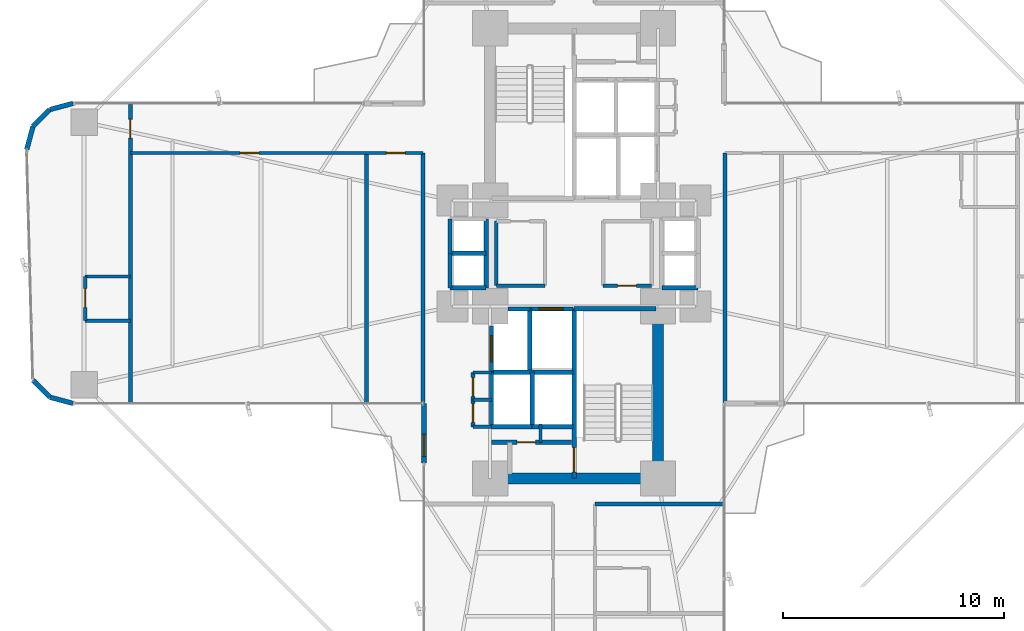
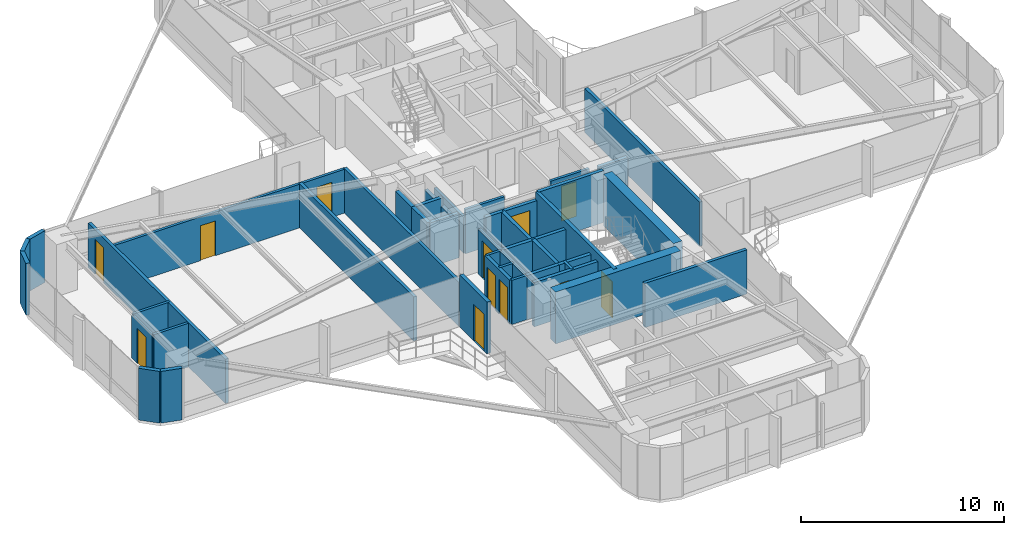
# One storey, part 22 of 26: 43 walls, 12 doors, 12 openings.
"""IFC4 building model written with IfcOpenShell, lengths in metres."""

from ifc_helpers import new_model, si_unit, direction, frame, frame_2d, origin, origin_2d, place, context, subcontext, project, spatial, rectangle, extrude, source, transform, mapped, material, layer, layer_set, type_object, element, fill, save


model = new_model("IFC4")

# Units and contexts
model_context = context("Model", 3, precision=1e-05, world=origin(), true_north=direction((0.0, 1.0)))
body_context = subcontext(model_context, "Body", "Model", "MODEL_VIEW")
ifc_project = project(units=[si_unit("LENGTHUNIT", "METRE"), si_unit("AREAUNIT", "SQUARE_METRE"), si_unit("VOLUMEUNIT", "CUBIC_METRE"), si_unit("PLANEANGLEUNIT", "RADIAN"), si_unit("MASSUNIT", "GRAM", prefix="KILO")], contexts=[model_context])

# Site, building, storey
site_placement = place(None, origin())
site = spatial("IfcSite", under=ifc_project, at=site_placement, CompositionType="ELEMENT")
building_placement = place(site_placement, origin())
building = spatial("IfcBuilding", under=site, at=building_placement, Name="Sahyath Konkavel Grand Hotel", CompositionType="ELEMENT")
storey_placement = place(building_placement, frame((0.0, 0.0, 61.10009765625)))
storey = spatial("IfcBuildingStorey", under=building, at=storey_placement, Name="L16", CompositionType="ELEMENT", Elevation=61.10009765625)

# Walls
ifc_material_1 = material(Name="Concrete C70/85", Category="concrete")
ifc_layer_1 = layer(ifc_material_1, 0.5)
ifc_layer_set_1 = layer_set([ifc_layer_1], Name="Concrete C70/85")
wall_type_1 = type_object("IfcWallType", Name="CWALL-500", PredefinedType="SHEAR", material=ifc_layer_set_1)
wall_1_placement = place(storey_placement, frame((-3.550048828125, -10.199951171875, 0.0), z_axis=(0.0, 0.0, 1.0), x_axis=(1.0, 0.0, 0.0)))
element("IfcWall", 1, at=wall_1_placement, inside=storey, type_object=wall_type_1, Name="L16 South Core Shear Wall S", PredefinedType="SHEAR", context=body_context, shape_type="SweptSolid", body=[
    extrude(rectangle(XDim=7.10009765625, YDim=0.5, at=frame_2d((3.550048828125, 0.0))), origin(), (0.0, 0.0, 1.0), 3.10986328125),
])
wall_2_placement = place(storey_placement, frame((3.800048828125, -9.75, 0.0), z_axis=(0.0, 0.0, 1.0), x_axis=(0.0, 1.0, 0.0)))
element("IfcWall", 2, at=wall_2_placement, inside=storey, type_object=wall_type_1, Name="L16 South Core Shear Wall E", PredefinedType="SHEAR", context=body_context, shape_type="SweptSolid", body=[
    extrude(rectangle(XDim=6.89990234375, YDim=0.5, at=frame_2d((3.449951171875, 0.0))), origin(), (0.0, 0.0, 1.0), 3.10986328125),
])
ifc_material_2 = material(Name="Warm Buff Sandstone Insulated Concrete C40/50", Category="masonry")
ifc_layer_2 = layer(ifc_material_2, 0.219970703125)
ifc_layer_set_2 = layer_set([ifc_layer_2], Name="Warm Buff Sandstone Insulated Concrete C40/50")
wall_type_2 = type_object("IfcWallType", Name="WLL-BALC-THRESH", PredefinedType="STANDARD", material=ifc_layer_set_2)
for number, where, z_axis, x_axis, name in (
    (3, (-22.699951171875, 6.800048828125, 0.0), (0.0, 0.0, 1.0), (-0.965951058412, -0.25872485917, 0.0), "L16 Rounded Corner Sandstone Pier 17"),
    (4, (-23.75, 6.518798828125, 0.0), (0.0, 0.0, 1.0), (-0.707106781187, -0.707106781187, 0.0), "L16 Rounded Corner Sandstone Pier 18"),
    (5, (-24.518798828125, 5.75, 0.0), (0.0, 0.0, 1.0), (-0.25872485917, -0.965951058412, 0.0), "L16 Rounded Corner Sandstone Pier 19"),
    (6, (-24.518798828125, -5.75, 0.0), (0.0, 0.0, 1.0), (0.707106781187, -0.707106781187, 0.0), "L16 Rounded Corner Sandstone Pier 21"),
    (7, (-23.75, -6.518798828125, 0.0), (0.0, 0.0, 1.0), (0.965951058412, -0.25872485917, 0.0), "L16 Rounded Corner Sandstone Pier 22"),
):
    element("IfcWall", number, at=place(storey_placement, frame(where, z_axis=z_axis, x_axis=x_axis)), inside=storey, type_object=wall_type_2, Name=name, PredefinedType="STANDARD", context=body_context, shape_type="SweptSolid", body=[
        extrude(rectangle(XDim=1.087158203125, YDim=0.219970703125, at=frame_2d((0.54345703125, 0.0))), origin(), (0.0, 0.0, 1.0), 3.10986328125),
    ])

# Wall, opening, door
wall_3_placement = place(storey_placement, frame((-6.800048828125, -6.800048828125, 0.0), z_axis=(0.0, 0.0, 1.0), x_axis=(0.0, -1.0, 0.0)))
wall_3 = element("IfcWall", 8, at=wall_3_placement, inside=storey, type_object=wall_type_2, Name="L16 Winter-Garden Threshold Wall 24", PredefinedType="STANDARD", context=body_context, shape_type="SweptSolid", body=[
    extrude(rectangle(XDim=2.699951171875, YDim=0.219970703125, at=frame_2d((1.35009765625, 0.0))), origin(), (0.0, 0.0, 1.0), 3.10986328125),
])
opening_1_placement = place(wall_3_placement, frame((1.39990234375, 0.0, 0.0)))
opening_1 = element("IfcOpeningElement", 9, at=opening_1_placement, cuts=wall_3, Name="Opening D-TR1", PredefinedType="OPENING", context=body_context, shape_type="SweptSolid", body=[
    extrude(rectangle(XDim=1.0, YDim=2.199951171875, at=frame_2d((0.5, 1.10009765625))), frame((0.0, 0.1201171875, 0.0), z_axis=(0.0, -1.0, 0.0), x_axis=(1.0, 0.0, 0.0)), (0.0, 0.0, 1.0), 0.239990234375),
])
ifc_material_3 = material(Name="Anodised Bronze Aluminium & Low-E Glazing", Category="aluminium")
door_type_1 = type_object("IfcDoorType", Name="DR-TERRACE-1000", OperationType="NOTDEFINED", PredefinedType="DOOR", material=ifc_material_3)
shared_shape_1 = source(origin(), body_context, "Body", "SweptSolid", [
    extrude(rectangle(XDim=1.0, YDim=0.050048828125, at=origin_2d()), origin(), (0.0, 0.0, 1.0), 2.199951171875),
])
door_1_placement = place(opening_1_placement, frame((0.5, 0.0, 0.0)))
door_1 = element("IfcDoor", 10, at=door_1_placement, inside=storey, type_object=door_type_1, Name="L16 Winter-Garden Terrace Door 24", OperationType="SINGLE_SWING_LEFT", OverallHeight=2.199951171875, OverallWidth=1.0, PredefinedType="DOOR", context=body_context, shape_type="MappedRepresentation", body=[
    mapped(shared_shape_1, transform((0.0, 0.0, 0.0), scale=1.0)),
])
fill(opening_1, door_1)

ifc_material_4 = material(Name="Concrete C40/50", Category="concrete")
ifc_layer_3 = layer(ifc_material_4, 0.199951171875)
ifc_layer_set_3 = layer_set([ifc_layer_3], Name="Concrete C40/50")
wall_type_3 = type_object("IfcWallType", Name="WLL-CORE-200", PredefinedType="SOLIDWALL", material=ifc_layer_set_3)
wall_4_placement = place(storey_placement, frame((0.0, -10.179931640625, 0.0), z_axis=(0.0, 0.0, 1.0), x_axis=(0.0, 1.0, 0.0)))
wall_4 = element("IfcWall", 11, at=wall_4_placement, inside=storey, type_object=wall_type_3, Name="L16 Stair ST-2 Shaft Wall W", PredefinedType="SOLIDWALL", context=body_context, shape_type="SweptSolid", body=[
    extrude(rectangle(XDim=7.679931640625, YDim=0.199951171875, at=frame_2d((3.83984375, 0.0))), origin(), (0.0, 0.0, 1.0), 3.10986328125),
])
opening_2_placement = place(wall_4_placement, frame((0.280029296875, 0.0, 0.0)))
opening_2 = element("IfcOpeningElement", 12, at=opening_2_placement, cuts=wall_4, Name="Opening D-F12B", PredefinedType="OPENING", context=body_context, shape_type="SweptSolid", body=[
    extrude(rectangle(XDim=1.10009765625, YDim=2.14990234375, at=frame_2d((0.550048828125, 1.074951171875))), frame((0.0, 0.10986328125, 0.0), z_axis=(0.0, -1.0, 0.0), x_axis=(1.0, 0.0, 0.0)), (0.0, 0.0, 1.0), 0.219970703125),
])
ifc_material_5 = material(Name="Steel E350 Smokeproof Fire Door", Category="steel")
door_type_2 = type_object("IfcDoorType", Name="DR-FD120-1100", OperationType="NOTDEFINED", PredefinedType="DOOR", material=ifc_material_5)
shared_shape_2 = source(origin(), body_context, "Body", "SweptSolid", [
    extrude(rectangle(XDim=1.10009765625, YDim=0.050048828125, at=origin_2d()), origin(), (0.0, 0.0, 1.0), 2.14990234375),
])
door_2_placement = place(opening_2_placement, frame((0.550048828125, 0.0, 0.0)))
door_2 = element("IfcDoor", 13, at=door_2_placement, inside=storey, type_object=door_type_2, Name="L16 Stair ST-2 Fire Door", OperationType="SINGLE_SWING_RIGHT", OverallHeight=2.14990234375, OverallWidth=1.10009765625, PredefinedType="DOOR", context=body_context, shape_type="MappedRepresentation", body=[
    mapped(shared_shape_2, transform((0.0, 0.0, 0.0), scale=1.0)),
])
fill(opening_2, door_2)

# Walls
wall_5_placement = place(storey_placement, frame((0.0, -2.5, 0.0), z_axis=(0.0, 0.0, 1.0), x_axis=(1.0, 0.0, 0.0)))
element("IfcWall", 14, at=wall_5_placement, inside=storey, type_object=wall_type_3, Name="L16 Stair ST-2 Shaft Wall N", PredefinedType="SOLIDWALL", context=body_context, shape_type="SweptSolid", body=[
    extrude(rectangle(XDim=3.719970703125, YDim=0.199951171875, at=frame_2d((1.85986328125, 0.0))), origin(), (0.0, 0.0, 1.0), 3.10986328125),
])
wall_6_placement = place(storey_placement, frame((-2.0, -5.280029296875, 0.0), z_axis=(0.0, 0.0, 1.0), x_axis=(0.0, 1.0, 0.0)))
element("IfcWall", 15, at=wall_6_placement, inside=storey, type_object=wall_type_3, Name="L16 Partition SH-FFL2-W", PredefinedType="SOLIDWALL", context=body_context, shape_type="SweptSolid", body=[
    extrude(rectangle(XDim=2.780029296875, YDim=0.199951171875, at=frame_2d((1.39013671875, 0.0))), origin(), (0.0, 0.0, 1.0), 2.659912109375),
])

# Wall, opening, door
wall_7_placement = place(storey_placement, frame((-2.0, -2.52001953125, 0.0), z_axis=(0.0, 0.0, 1.0), x_axis=(1.0, 0.0, 0.0)))
wall_7 = element("IfcWall", 16, at=wall_7_placement, inside=storey, type_object=wall_type_3, Name="L16 Partition SH-FFL2-N", PredefinedType="SOLIDWALL", context=body_context, shape_type="SweptSolid", body=[
    extrude(rectangle(XDim=1.949951171875, YDim=0.199951171875, at=frame_2d((0.97509765625, 0.0))), origin(), (0.0, 0.0, 1.0), 2.659912109375),
])
opening_3_placement = place(wall_7_placement, frame((0.419921875, 0.0, 0.0)))
opening_3 = element("IfcOpeningElement", 17, at=opening_3_placement, cuts=wall_7, Name="Opening LD-11", PredefinedType="OPENING", context=body_context, shape_type="SweptSolid", body=[
    extrude(rectangle(XDim=1.10009765625, YDim=2.199951171875, at=frame_2d((0.550048828125, 1.10009765625))), frame((0.0, 0.10986328125, 0.0), z_axis=(0.0, -1.0, 0.0), x_axis=(1.0, 0.0, 0.0)), (0.0, 0.0, 1.0), 0.219970703125),
])
ifc_material_6 = material(Name="Bronze Lift Landing Door 1100")
door_type_3 = type_object("IfcDoorType", Name="DR-LIFT-1100", OperationType="DOUBLE_DOOR_SLIDING", PredefinedType="DOOR", material=ifc_material_6)
shared_shape_3 = source(origin(), body_context, "Body", "SweptSolid", [
    extrude(rectangle(XDim=1.10009765625, YDim=0.050048828125, at=origin_2d()), origin(), (0.0, 0.0, 1.0), 2.199951171875),
])
door_3_placement = place(opening_3_placement, frame((0.550048828125, 0.0, 0.0)))
door_3 = element("IfcDoor", 18, at=door_3_placement, inside=storey, type_object=door_type_3, Name="L16 Lift FFL-2 Landing Door", OperationType="DOUBLE_DOOR_SLIDING", OverallHeight=2.199951171875, OverallWidth=1.10009765625, PredefinedType="DOOR", context=body_context, shape_type="MappedRepresentation", body=[
    mapped(shared_shape_3, transform((0.0, 0.0, 0.0), scale=1.0)),
])
fill(opening_3, door_3)

# Wall
wall_8_placement = place(storey_placement, frame((-3.0, -2.52001953125, 0.0), z_axis=(0.0, 0.0, 1.0), x_axis=(1.0, 0.0, 0.0)))
element("IfcWall", 19, at=wall_8_placement, inside=storey, type_object=wall_type_3, Name="L16 Partition SH-SVL2-N", PredefinedType="SOLIDWALL", context=body_context, shape_type="SweptSolid", body=[
    extrude(rectangle(XDim=1.0, YDim=0.199951171875, at=frame_2d((0.5, 0.0))), origin(), (0.0, 0.0, 1.0), 2.659912109375),
])

# Wall, opening, door
wall_9_placement = place(storey_placement, frame((-3.739990234375, -5.360107421875, 0.0), z_axis=(0.0, 0.0, 1.0), x_axis=(0.0, 1.0, 0.0)))
wall_9 = element("IfcWall", 20, at=wall_9_placement, inside=storey, type_object=wall_type_3, Name="L16 Partition SH-SVL2-W", PredefinedType="SOLIDWALL", context=body_context, shape_type="SweptSolid", body=[
    extrude(rectangle(XDim=2.080078125, YDim=0.199951171875, at=frame_2d((1.0400390625, 0.0))), origin(), (0.0, 0.0, 1.0), 2.659912109375),
])
opening_4_placement = place(wall_9_placement, frame((0.43994140625, 0.0, 0.0)))
opening_4 = element("IfcOpeningElement", 21, at=opening_4_placement, cuts=wall_9, Name="Opening LD-12", PredefinedType="OPENING", context=body_context, shape_type="SweptSolid", body=[
    extrude(rectangle(XDim=1.199951171875, YDim=2.199951171875, at=frame_2d((0.60009765625, 1.10009765625))), frame((0.0, 0.10986328125, 0.0), z_axis=(0.0, -1.0, 0.0), x_axis=(1.0, 0.0, 0.0)), (0.0, 0.0, 1.0), 0.219970703125),
])
ifc_material_7 = material(Name="Stainless Steel Lift Landing Door 1200", Category="steel")
door_type_4 = type_object("IfcDoorType", Name="DR-LIFT-1200", OperationType="DOUBLE_DOOR_SLIDING", PredefinedType="DOOR", material=ifc_material_7)
shared_shape_4 = source(origin(), body_context, "Body", "SweptSolid", [
    extrude(rectangle(XDim=1.199951171875, YDim=0.050048828125, at=origin_2d()), origin(), (0.0, 0.0, 1.0), 2.199951171875),
])
door_4_placement = place(opening_4_placement, frame((0.60009765625, 0.0, 0.0)))
door_4 = element("IfcDoor", 22, at=door_4_placement, inside=storey, type_object=door_type_4, Name="L16 Service Lift SVL-2 Landing Door", OperationType="DOUBLE_DOOR_SLIDING", OverallHeight=2.199951171875, OverallWidth=1.199951171875, PredefinedType="DOOR", context=body_context, shape_type="MappedRepresentation", body=[
    mapped(shared_shape_4, transform((0.0, 0.0, 0.0), scale=1.0)),
])
fill(opening_4, door_4)

# Walls
wall_10_placement = place(storey_placement, frame((-3.739990234375, -7.860107421875, 0.0), z_axis=(0.0, 0.0, 1.0), x_axis=(0.0, 1.0, 0.0)))
element("IfcWall", 23, at=wall_10_placement, inside=storey, type_object=wall_type_3, Name="L16 Partition SH-PL3-W", PredefinedType="SOLIDWALL", context=body_context, shape_type="SweptSolid", body=[
    extrude(rectangle(XDim=2.480224609375, YDim=0.199951171875, at=frame_2d((1.240234375, 0.0))), origin(), (0.0, 0.0, 1.0), 2.659912109375),
])
wall_11_placement = place(storey_placement, frame((-3.739990234375, -7.860107421875, 0.0), z_axis=(0.0, 0.0, 1.0), x_axis=(1.0, 0.0, 0.0)))
element("IfcWall", 24, at=wall_11_placement, inside=storey, type_object=wall_type_3, Name="L16 Partition SH-PL3-S", PredefinedType="SOLIDWALL", context=body_context, shape_type="SweptSolid", body=[
    extrude(rectangle(XDim=1.840087890625, YDim=0.199951171875, at=frame_2d((0.919921875, 0.0))), origin(), (0.0, 0.0, 1.0), 2.659912109375),
])
wall_12_placement = place(storey_placement, frame((-3.739990234375, -5.3798828125, 0.0), z_axis=(0.0, 0.0, 1.0), x_axis=(1.0, 0.0, 0.0)))
element("IfcWall", 25, at=wall_12_placement, inside=storey, type_object=wall_type_3, Name="L16 Partition SH-PL34-N", PredefinedType="SOLIDWALL", context=body_context, shape_type="SweptSolid", body=[
    extrude(rectangle(XDim=3.68994140625, YDim=0.199951171875, at=frame_2d((1.844970703125, 0.0))), origin(), (0.0, 0.0, 1.0), 2.659912109375),
])
wall_13_placement = place(storey_placement, frame((-1.89990234375, -7.860107421875, 0.0), z_axis=(0.0, 0.0, 1.0), x_axis=(0.0, 1.0, 0.0)))
element("IfcWall", 26, at=wall_13_placement, inside=storey, type_object=wall_type_3, Name="L16 Partition SH-PL34-M", PredefinedType="SOLIDWALL", context=body_context, shape_type="SweptSolid", body=[
    extrude(rectangle(XDim=2.480224609375, YDim=0.199951171875, at=frame_2d((1.240234375, 0.0))), origin(), (0.0, 0.0, 1.0), 2.659912109375),
])
wall_14_placement = place(storey_placement, frame((-1.89990234375, -7.860107421875, 0.0), z_axis=(0.0, 0.0, 1.0), x_axis=(1.0, 0.0, 0.0)))
element("IfcWall", 27, at=wall_14_placement, inside=storey, type_object=wall_type_3, Name="L16 Partition SH-PL4-S", PredefinedType="SOLIDWALL", context=body_context, shape_type="SweptSolid", body=[
    extrude(rectangle(XDim=1.849853515625, YDim=0.199951171875, at=frame_2d((0.9248046875, 0.0))), origin(), (0.0, 0.0, 1.0), 2.659912109375),
])
wall_15_placement = place(storey_placement, frame((3.97998046875, -1.56005859375, 0.0), z_axis=(0.0, 0.0, 1.0), x_axis=(1.0, 0.0, 0.0)))
element("IfcWall", 28, at=wall_15_placement, inside=storey, type_object=wall_type_3, Name="L16 Partition SH-PL56-S", PredefinedType="SOLIDWALL", context=body_context, shape_type="SweptSolid", body=[
    extrude(rectangle(XDim=1.64013671875, YDim=0.199951171875, at=frame_2d((0.820068359375, 0.0))), origin(), (0.0, 0.0, 1.0), 2.659912109375),
])
wall_16_placement = place(storey_placement, frame((-3.97998046875, -1.56005859375, 0.0), z_axis=(0.0, 0.0, 1.0), x_axis=(0.0, 1.0, 0.0)))
element("IfcWall", 29, at=wall_16_placement, inside=storey, type_object=wall_type_3, Name="L16 Partition SH-SL12-E", PredefinedType="SOLIDWALL", context=body_context, shape_type="SweptSolid", body=[
    extrude(rectangle(XDim=3.1201171875, YDim=0.199951171875, at=frame_2d((1.56005859375, 0.0))), origin(), (0.0, 0.0, 1.0), 2.179931640625),
])
for number, where, z_axis, x_axis, name in (
    (30, (-5.6201171875, -1.56005859375, 0.0), (0.0, 0.0, 1.0), (1.0, 0.0, 0.0), "L16 Partition SH-SL12-S"),
    (31, (-5.6201171875, 0.0, 0.0), (0.0, 0.0, 1.0), (1.0, 0.0, 0.0), "L16 Partition SH-SL12-M"),
):
    element("IfcWall", number, at=place(storey_placement, frame(where, z_axis=z_axis, x_axis=x_axis)), inside=storey, type_object=wall_type_3, Name=name, PredefinedType="SOLIDWALL", context=body_context, shape_type="SweptSolid", body=[
        extrude(rectangle(XDim=1.64013671875, YDim=0.199951171875, at=frame_2d((0.820068359375, 0.0))), origin(), (0.0, 0.0, 1.0), 2.659912109375),
    ])
for number, where, z_axis, x_axis, name in (
    (32, (-5.6201171875, 0.0, 0.0), (0.0, 0.0, 1.0), (0.0, 1.0, 0.0), "L16 Partition SH-SL1-W"),
    (33, (-5.6201171875, -1.56005859375, 0.0), (0.0, 0.0, 1.0), (0.0, 1.0, 0.0), "L16 Partition SH-SL2-W"),
):
    element("IfcWall", number, at=place(storey_placement, frame(where, z_axis=z_axis, x_axis=x_axis)), inside=storey, type_object=wall_type_3, Name=name, PredefinedType="SOLIDWALL", context=body_context, shape_type="SweptSolid", body=[
        extrude(rectangle(XDim=1.56005859375, YDim=0.199951171875, at=frame_2d((0.780029296875, 0.0))), origin(), (0.0, 0.0, 1.0), 2.659912109375),
    ])

# Wall, opening, door
wall_17_placement = place(storey_placement, frame((-3.739990234375, -8.56005859375, 0.0), z_axis=(0.0, 0.0, 1.0), x_axis=(1.0, 0.0, 0.0)))
wall_17 = element("IfcWall", 34, at=wall_17_placement, inside=storey, type_object=wall_type_3, Name="L16 South FF Lobby Separation Wall", PredefinedType="SOLIDWALL", context=body_context, shape_type="SweptSolid", body=[
    extrude(rectangle(XDim=3.619873046875, YDim=0.199951171875, at=frame_2d((1.81005859375, 0.0))), origin(), (0.0, 0.0, 1.0), 2.659912109375),
])
opening_5_placement = place(wall_17_placement, frame((1.14990234375, 0.0, 0.0)))
opening_5 = element("IfcOpeningElement", 35, at=opening_5_placement, cuts=wall_17, Name="Opening D-F12D", PredefinedType="OPENING", context=body_context, shape_type="SweptSolid", body=[
    extrude(rectangle(XDim=0.85009765625, YDim=2.10009765625, at=frame_2d((0.425048828125, 1.050048828125))), frame((0.0, 0.10986328125, 0.0), z_axis=(0.0, -1.0, 0.0), x_axis=(1.0, 0.0, 0.0)), (0.0, 0.0, 1.0), 0.219970703125),
])
ifc_material_8 = material(Name="Steel E350 Core Fire Door", Category="steel")
door_type_5 = type_object("IfcDoorType", Name="DR-FD120-850", OperationType="NOTDEFINED", PredefinedType="DOOR", material=ifc_material_8)
shared_shape_5 = source(origin(), body_context, "Body", "SweptSolid", [
    extrude(rectangle(XDim=0.85009765625, YDim=0.050048828125, at=origin_2d()), origin(), (0.0, 0.0, 1.0), 2.10009765625),
])
door_5_placement = place(opening_5_placement, frame((0.425048828125, 0.0, 0.0)))
door_5 = element("IfcDoor", 36, at=door_5_placement, inside=storey, type_object=door_type_5, Name="L16 South Firefighting Lobby Door", OperationType="SINGLE_SWING_LEFT", OverallHeight=2.10009765625, OverallWidth=0.85009765625, PredefinedType="DOOR", context=body_context, shape_type="MappedRepresentation", body=[
    mapped(shared_shape_5, transform((0.0, 0.0, 0.0), scale=1.0)),
])
fill(opening_5, door_5)

# Wall, openings, doors
wall_18_placement = place(storey_placement, frame((-4.580078125, -7.860107421875, 0.0), z_axis=(0.0, 0.0, 1.0), x_axis=(0.0, 1.0, 0.0)))
wall_18 = element("IfcWall", 37, at=wall_18_placement, inside=storey, type_object=wall_type_3, Name="L16 Partition SC-FLK-W", PredefinedType="SOLIDWALL", context=body_context, shape_type="SweptSolid", body=[
    extrude(rectangle(XDim=2.460205078125, YDim=0.199951171875, at=frame_2d((1.22998046875, 0.0))), origin(), (0.0, 0.0, 1.0), 2.659912109375),
])
opening_6_placement = place(wall_18_placement, frame((0.199951171875, 0.0, 0.0)))
opening_6 = element("IfcOpeningElement", 38, at=opening_6_placement, cuts=wall_18, Name="Opening D-F06D", PredefinedType="OPENING", context=body_context, shape_type="SweptSolid", body=[
    extrude(rectangle(XDim=0.85009765625, YDim=2.10009765625, at=frame_2d((0.425048828125, 1.050048828125))), frame((0.0, 0.10986328125, 0.0), z_axis=(0.0, -1.0, 0.0), x_axis=(1.0, 0.0, 0.0)), (0.0, 0.0, 1.0), 0.219970703125),
])
opening_7_placement = place(wall_18_placement, frame((1.3798828125, 0.0, 0.0)))
opening_7 = element("IfcOpeningElement", 39, at=opening_7_placement, cuts=wall_18, Name="Opening D-F06D", PredefinedType="OPENING", context=body_context, shape_type="SweptSolid", body=[
    extrude(rectangle(XDim=0.85009765625, YDim=2.10009765625, at=frame_2d((0.425048828125, 1.050048828125))), frame((0.0, 0.10986328125, 0.0), z_axis=(0.0, -1.0, 0.0), x_axis=(1.0, 0.0, 0.0)), (0.0, 0.0, 1.0), 0.219970703125),
])
ifc_material_9 = material(Name="Fire-Rated Shaft Access Door")
door_type_6 = type_object("IfcDoorType", Name="DR-FD60-850", OperationType="NOTDEFINED", PredefinedType="DOOR", material=ifc_material_9)
door_6_placement = place(opening_6_placement, frame((0.425048828125, 0.0, 0.0)))
door_6 = element("IfcDoor", 40, at=door_6_placement, inside=storey, type_object=door_type_6, Name="L16 Door SC-FLK1-D", OperationType="SINGLE_SWING_LEFT", OverallHeight=2.10009765625, OverallWidth=0.85009765625, PredefinedType="DOOR", context=body_context, shape_type="MappedRepresentation", body=[
    mapped(shared_shape_5, transform((0.0, 0.0, 0.0), scale=1.0)),
])
fill(opening_6, door_6)
door_7_placement = place(opening_7_placement, frame((0.425048828125, 0.0, 0.0)))
door_7 = element("IfcDoor", 41, at=door_7_placement, inside=storey, type_object=door_type_6, Name="L16 Door SC-FLK2-D", OperationType="SINGLE_SWING_RIGHT", OverallHeight=2.10009765625, OverallWidth=0.85009765625, PredefinedType="DOOR", context=body_context, shape_type="MappedRepresentation", body=[
    mapped(shared_shape_5, transform((0.0, 0.0, 0.0), scale=1.0)),
])
fill(opening_7, door_7)

# Walls
ifc_material_10 = material(Name="Twin-Stud Acoustic Gypsum Plasterboard Partition")
ifc_layer_4 = layer(ifc_material_10, 0.179931640625)
ifc_layer_set_4 = layer_set([ifc_layer_4], Name="Twin-Stud Acoustic Gypsum Plasterboard Partition")
wall_type_4 = type_object("IfcWallType", Name="WLL-DEMISE-180", PredefinedType="PARTITIONING", material=ifc_layer_set_4)
for number, where, z_axis, x_axis, name in (
    (42, (6.85009765625, -6.75, 0.0), (0.0, 0.0, 1.0), (0.0, 1.0, 0.0), "L16 Partition E-G5I"),
    (43, (-6.85009765625, 4.550048828125, 0.0), (0.0, 0.0, 1.0), (0.0, -1.0, 0.0), "L16 Partition W-G6I"),
    (44, (-9.39990234375, 4.550048828125, 0.0), (0.0, 0.0, 1.0), (0.0, -1.0, 0.0), "L16 Partition W-WHK-DEM"),
):
    element("IfcWall", number, at=place(storey_placement, frame(where, z_axis=z_axis, x_axis=x_axis)), inside=storey, type_object=wall_type_4, Name=name, PredefinedType="PARTITIONING", context=body_context, shape_type="SweptSolid", body=[
        extrude(rectangle(XDim=11.300048828125, YDim=0.179931640625, at=frame_2d((5.64990234375, 0.0))), origin(), (0.0, 0.0, 1.0), 2.659912109375),
    ])

# Wall, opening, door
wall_19_placement = place(storey_placement, frame((-20.10009765625, 6.75, 0.0), z_axis=(0.0, 0.0, 1.0), x_axis=(0.0, -1.0, 0.0)))
wall_19 = element("IfcWall", 45, at=wall_19_placement, inside=storey, type_object=wall_type_4, Name="L16 Partition W-WTIP-END", PredefinedType="PARTITIONING", context=body_context, shape_type="SweptSolid", body=[
    extrude(rectangle(XDim=13.5, YDim=0.179931640625, at=frame_2d((6.75, 0.0))), origin(), (0.0, 0.0, 1.0), 2.659912109375),
])
opening_8_placement = place(wall_19_placement, frame((0.675048828125, 0.0, 0.0)))
opening_8 = element("IfcOpeningElement", 46, at=opening_8_placement, cuts=wall_19, Name="Opening D-F06D", PredefinedType="OPENING", context=body_context, shape_type="SweptSolid", body=[
    extrude(rectangle(XDim=0.85009765625, YDim=2.10009765625, at=frame_2d((0.425048828125, 1.050048828125))), frame((0.0, 0.10009765625, 0.0), z_axis=(0.0, -1.0, 0.0), x_axis=(1.0, 0.0, 0.0)), (0.0, 0.0, 1.0), 0.199951171875),
])
door_8_placement = place(opening_8_placement, frame((0.425048828125, 0.0, 0.0)))
door_8 = element("IfcDoor", 47, at=door_8_placement, inside=storey, type_object=door_type_6, Name="L16 Door W-WTIP-ED", OperationType="SINGLE_SWING_LEFT", OverallHeight=2.10009765625, OverallWidth=0.85009765625, PredefinedType="DOOR", context=body_context, shape_type="MappedRepresentation", body=[
    mapped(shared_shape_5, transform((0.0, 0.0, 0.0), scale=1.0)),
])
fill(opening_8, door_8)

# Walls
wall_20_placement = place(storey_placement, frame((0.949951171875, -11.35009765625, 0.0), z_axis=(0.0, 0.0, 1.0), x_axis=(1.0, 0.0, 0.0)))
element("IfcWall", 48, at=wall_20_placement, inside=storey, type_object=wall_type_4, Name="L16 Partition S-INL", PredefinedType="PARTITIONING", context=body_context, shape_type="SweptSolid", body=[
    extrude(rectangle(XDim=5.800048828125, YDim=0.179931640625, at=frame_2d((2.89990234375, 0.0))), origin(), (0.0, 0.0, 1.0), 2.659912109375),
])
ifc_material_11 = material(Name="Fire-Rated Gypsum Plasterboard Partition")
ifc_layer_5 = layer(ifc_material_11, 0.14990234375)
ifc_layer_set_5 = layer_set([ifc_layer_5], Name="Fire-Rated Gypsum Plasterboard Partition")
wall_type_5 = type_object("IfcWallType", Name="WLL-PART-150", PredefinedType="PARTITIONING", material=ifc_layer_set_5)
wall_21_placement = place(storey_placement, frame((-1.52001953125, -8.56005859375, 0.0), z_axis=(0.0, 0.0, 1.0), x_axis=(0.0, 1.0, 0.0)))
element("IfcWall", 49, at=wall_21_placement, inside=storey, type_object=wall_type_5, Name="L16 Partition SC-VST-E", PredefinedType="PARTITIONING", context=body_context, shape_type="SweptSolid", body=[
    extrude(rectangle(XDim=0.820068359375, YDim=0.14990234375, at=frame_2d((0.41015625, 0.0))), origin(), (0.0, 0.0, 1.0), 2.659912109375),
])
for number, where, z_axis, x_axis, name in (
    (50, (-4.580078125, -5.39990234375, 0.0), (0.0, 0.0, 1.0), (1.0, 0.0, 0.0), "L16 Partition SC-FLK-N"),
    (51, (-4.580078125, -7.860107421875, 0.0), (0.0, 0.0, 1.0), (1.0, 0.0, 0.0), "L16 Partition SC-FLK-S"),
    (52, (-4.580078125, -6.6298828125, 0.0), (0.0, 0.0, 1.0), (1.0, 0.0, 0.0), "L16 Partition SC-FLK-M"),
):
    element("IfcWall", number, at=place(storey_placement, frame(where, z_axis=z_axis, x_axis=x_axis)), inside=storey, type_object=wall_type_5, Name=name, PredefinedType="PARTITIONING", context=body_context, shape_type="SweptSolid", body=[
        extrude(rectangle(XDim=0.840087890625, YDim=0.14990234375, at=frame_2d((0.419921875, 0.0))), origin(), (0.0, 0.0, 1.0), 2.659912109375),
    ])
wall_22_placement = place(storey_placement, frame((-3.52001953125, -1.4599609375, 0.0), z_axis=(0.0, 0.0, 1.0), x_axis=(0.0, 1.0, 0.0)))
element("IfcWall", 53, at=wall_22_placement, inside=storey, type_object=wall_type_5, Name="L16 Partition CC-1WO", PredefinedType="PARTITIONING", context=body_context, shape_type="SweptSolid", body=[
    extrude(rectangle(XDim=2.919921875, YDim=0.14990234375, at=frame_2d((1.4599609375, 0.0))), origin(), (0.0, 0.0, 1.0), 2.179931640625),
])
wall_23_placement = place(storey_placement, frame((-3.52001953125, -1.4599609375, 0.0), z_axis=(0.0, 0.0, 1.0), x_axis=(1.0, 0.0, 0.0)))
element("IfcWall", 54, at=wall_23_placement, inside=storey, type_object=wall_type_5, Name="L16 Partition CC-1WS", PredefinedType="PARTITIONING", context=body_context, shape_type="SweptSolid", body=[
    extrude(rectangle(XDim=2.199951171875, YDim=0.14990234375, at=frame_2d((1.10009765625, 0.0))), origin(), (0.0, 0.0, 1.0), 2.659912109375),
])

# Wall, opening, door
wall_24_placement = place(storey_placement, frame((1.320068359375, -1.4599609375, 0.0), z_axis=(0.0, 0.0, 1.0), x_axis=(1.0, 0.0, 0.0)))
wall_24 = element("IfcWall", 55, at=wall_24_placement, inside=storey, type_object=wall_type_5, Name="L16 Partition CC-1ES", PredefinedType="PARTITIONING", context=body_context, shape_type="SweptSolid", body=[
    extrude(rectangle(XDim=2.199951171875, YDim=0.14990234375, at=frame_2d((1.10009765625, 0.0))), origin(), (0.0, 0.0, 1.0), 2.659912109375),
])
opening_9_placement = place(wall_24_placement, frame((0.64990234375, 0.0, 0.0)))
opening_9 = element("IfcOpeningElement", 56, at=opening_9_placement, cuts=wall_24, Name="Opening D-F06D", PredefinedType="OPENING", context=body_context, shape_type="SweptSolid", body=[
    extrude(rectangle(XDim=0.85009765625, YDim=2.10009765625, at=frame_2d((0.425048828125, 1.050048828125))), frame((0.0, 0.0849609375, 0.0), z_axis=(0.0, -1.0, 0.0), x_axis=(1.0, 0.0, 0.0)), (0.0, 0.0, 1.0), 0.169921875),
])
door_9_placement = place(opening_9_placement, frame((0.425048828125, 0.0, 0.0)))
door_9 = element("IfcDoor", 57, at=door_9_placement, inside=storey, type_object=door_type_6, Name="L16 Door CC-D1E", OperationType="SINGLE_SWING_RIGHT", OverallHeight=2.10009765625, OverallWidth=0.85009765625, PredefinedType="DOOR", context=body_context, shape_type="MappedRepresentation", body=[
    mapped(shared_shape_5, transform((0.0, 0.0, 0.0), scale=1.0)),
])
fill(opening_9, door_9)

# Wall, openings, doors
wall_25_placement = place(storey_placement, frame((-6.85009765625, 4.550048828125, 0.0), z_axis=(0.0, 0.0, 1.0), x_axis=(-1.0, 0.0, 0.0)))
wall_25 = element("IfcWall", 58, at=wall_25_placement, inside=storey, type_object=wall_type_5, Name="L16 Partition W-G6W", PredefinedType="PARTITIONING", context=body_context, shape_type="SweptSolid", body=[
    extrude(rectangle(XDim=13.25, YDim=0.14990234375, at=frame_2d((6.625, 0.0))), origin(), (0.0, 0.0, 1.0), 2.6298828125),
])
opening_10_placement = place(wall_25_placement, frame((0.800048828125, 0.0, 0.0)))
opening_10 = element("IfcOpeningElement", 59, at=opening_10_placement, cuts=wall_25, Name="Opening D-F06D", PredefinedType="OPENING", context=body_context, shape_type="SweptSolid", body=[
    extrude(rectangle(XDim=0.85009765625, YDim=2.10009765625, at=frame_2d((0.425048828125, 1.050048828125))), frame((0.0, 0.0849609375, 0.0), z_axis=(0.0, -1.0, 0.0), x_axis=(1.0, 0.0, 0.0)), (0.0, 0.0, 1.0), 0.169921875),
])
opening_11_placement = place(wall_25_placement, frame((7.425048828125, 0.0, 0.0)))
opening_11 = element("IfcOpeningElement", 60, at=opening_11_placement, cuts=wall_25, Name="Opening D-F06D", PredefinedType="OPENING", context=body_context, shape_type="SweptSolid", body=[
    extrude(rectangle(XDim=0.85009765625, YDim=2.10009765625, at=frame_2d((0.425048828125, 1.050048828125))), frame((0.0, 0.0849609375, 0.0), z_axis=(0.0, -1.0, 0.0), x_axis=(1.0, 0.0, 0.0)), (0.0, 0.0, 1.0), 0.169921875),
])
door_10_placement = place(opening_10_placement, frame((0.425048828125, 0.0, 0.0)))
door_10 = element("IfcDoor", 61, at=door_10_placement, inside=storey, type_object=door_type_6, Name="L16 Door W-WHK-D", OperationType="SINGLE_SWING_RIGHT", OverallHeight=2.10009765625, OverallWidth=0.85009765625, PredefinedType="DOOR", context=body_context, shape_type="MappedRepresentation", body=[
    mapped(shared_shape_5, transform((0.0, 0.0, 0.0), scale=1.0)),
])
fill(opening_10, door_10)
door_11_placement = place(opening_11_placement, frame((0.425048828125, 0.0, 0.0)))
door_11 = element("IfcDoor", 62, at=door_11_placement, inside=storey, type_object=door_type_6, Name="L16 Door W-WSL6-D", OperationType="SINGLE_SWING_LEFT", OverallHeight=2.10009765625, OverallWidth=0.85009765625, PredefinedType="DOOR", context=body_context, shape_type="MappedRepresentation", body=[
    mapped(shared_shape_5, transform((0.0, 0.0, 0.0), scale=1.0)),
])
fill(opening_11, door_11)

# Walls
wall_26_placement = place(storey_placement, frame((-20.10009765625, -3.050048828125, 0.0), z_axis=(0.0, 0.0, 1.0), x_axis=(-1.0, 0.0, 0.0)))
element("IfcWall", 63, at=wall_26_placement, inside=storey, type_object=wall_type_5, Name="L16 Partition W-WTIP-BN", PredefinedType="PARTITIONING", context=body_context, shape_type="SweptSolid", body=[
    extrude(rectangle(XDim=2.0498046875, YDim=0.14990234375, at=frame_2d((1.02490234375, 0.0))), origin(), (0.0, 0.0, 1.0), 2.6298828125),
])
wall_27_placement = place(storey_placement, frame((-20.10009765625, -1.050048828125, 0.0), z_axis=(0.0, 0.0, 1.0), x_axis=(-1.0, 0.0, 0.0)))
element("IfcWall", 64, at=wall_27_placement, inside=storey, type_object=wall_type_5, Name="L16 Partition W-WTIP-BS", PredefinedType="PARTITIONING", context=body_context, shape_type="SweptSolid", body=[
    extrude(rectangle(XDim=2.0498046875, YDim=0.14990234375, at=frame_2d((1.02490234375, 0.0))), origin(), (0.0, 0.0, 1.0), 2.659912109375),
])

# Wall, opening, door
wall_28_placement = place(storey_placement, frame((-22.14990234375, -1.050048828125, 0.0), z_axis=(0.0, 0.0, 1.0), x_axis=(0.0, -1.0, 0.0)))
wall_28 = element("IfcWall", 65, at=wall_28_placement, inside=storey, type_object=wall_type_5, Name="L16 Partition W-WTIP-BE", PredefinedType="PARTITIONING", context=body_context, shape_type="SweptSolid", body=[
    extrude(rectangle(XDim=2.0, YDim=0.14990234375, at=frame_2d((1.0, 0.0))), origin(), (0.0, 0.0, 1.0), 2.579833984375),
])
opening_12_placement = place(wall_28_placement, frame((0.550048828125, 0.0, 0.0)))
opening_12 = element("IfcOpeningElement", 66, at=opening_12_placement, cuts=wall_28, Name="Opening D-BT85", PredefinedType="OPENING", context=body_context, shape_type="SweptSolid", body=[
    extrude(rectangle(XDim=0.85009765625, YDim=2.10009765625, at=frame_2d((0.425048828125, 1.050048828125))), frame((0.0, 0.0849609375, 0.0), z_axis=(0.0, -1.0, 0.0), x_axis=(1.0, 0.0, 0.0)), (0.0, 0.0, 1.0), 0.169921875),
])
ifc_material_12 = material(Name="Moisture-Resistant Teak Bathroom Door")
door_type_7 = type_object("IfcDoorType", Name="DR-BATH-850", OperationType="NOTDEFINED", PredefinedType="DOOR", material=ifc_material_12)
door_12_placement = place(opening_12_placement, frame((0.425048828125, 0.0, 0.0)))
door_12 = element("IfcDoor", 67, at=door_12_placement, inside=storey, type_object=door_type_7, Name="L16 Door W-WTIP-BD", OperationType="SINGLE_SWING_RIGHT", OverallHeight=2.10009765625, OverallWidth=0.85009765625, PredefinedType="DOOR", context=body_context, shape_type="MappedRepresentation", body=[
    mapped(shared_shape_5, transform((0.0, 0.0, 0.0), scale=1.0)),
])
fill(opening_12, door_12)

save(model, "model.ifc")
